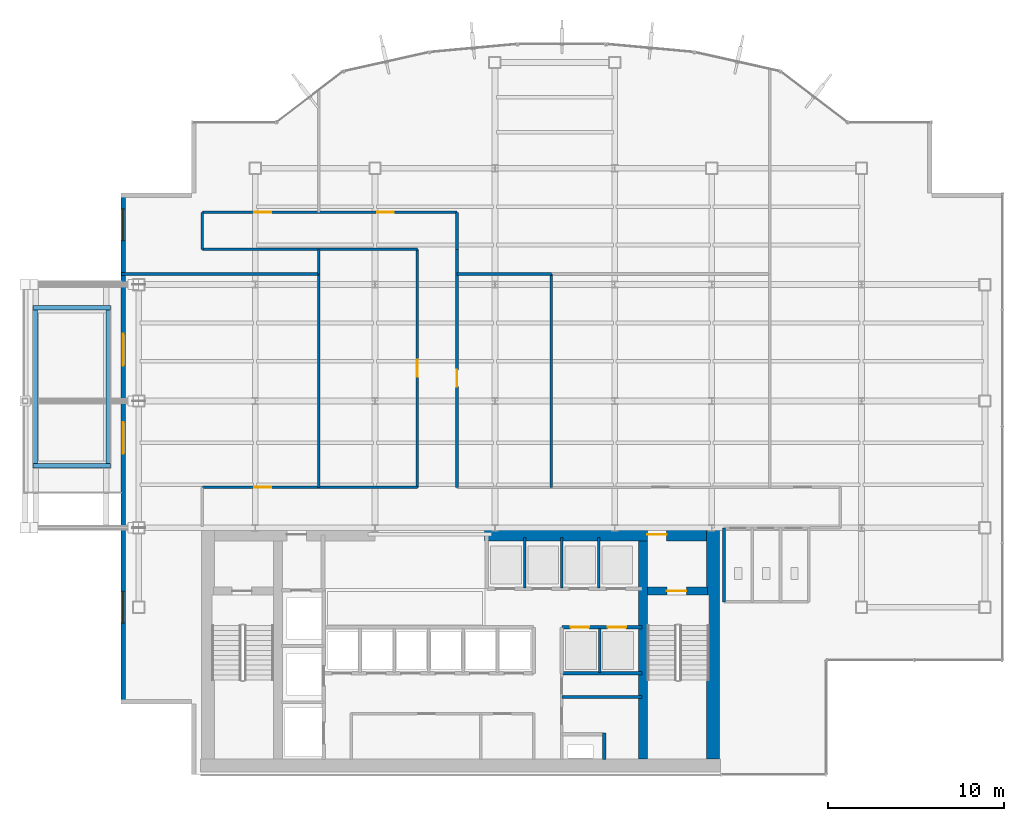
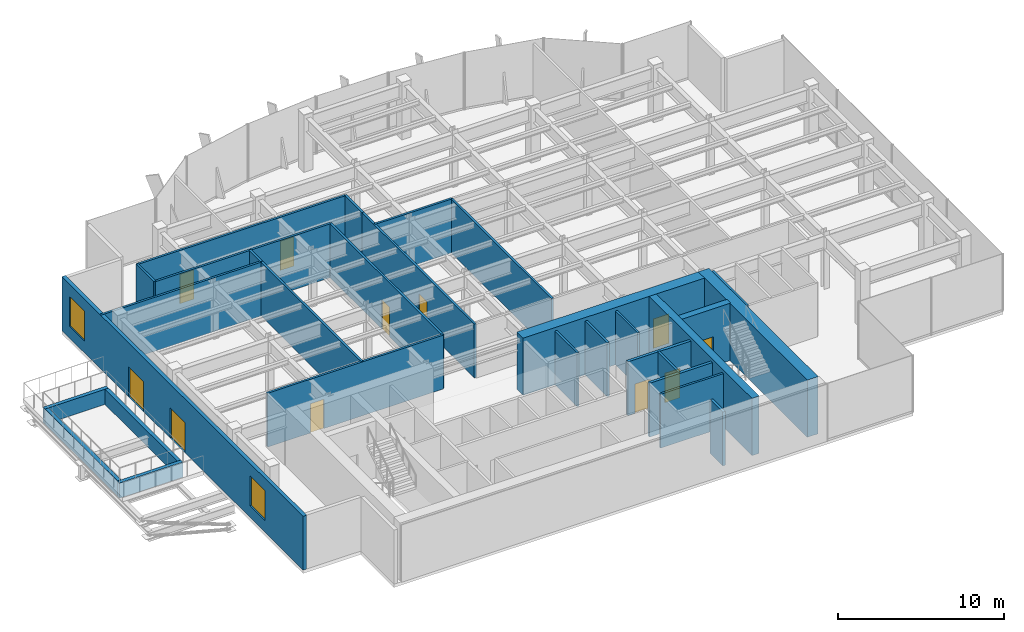
# One storey, part 19 of 26: 30 walls, 11 doors, 2 windows, 13 openings.
"""IFC4 building model written with IfcOpenShell, lengths in metres."""

from ifc_helpers import new_model, si_unit, derived_unit, direction, frame, frame_2d, origin, place, context, subcontext, project, spatial, rectangle, extrude, source, transform, mapped, material, layer, layer_set, type_object, element, fill, save


model = new_model("IFC4")

# Units and contexts
model_context = context("Model", 3, precision=1e-05, world=origin(), true_north=direction((0.0, 1.0)))
body_context = subcontext(model_context, "Body", "Model", "MODEL_VIEW")
ifc_project = project(units=[si_unit("LENGTHUNIT", "METRE"), si_unit("AREAUNIT", "SQUARE_METRE"), si_unit("VOLUMEUNIT", "CUBIC_METRE"), si_unit("PLANEANGLEUNIT", "RADIAN"), si_unit("MASSUNIT", "GRAM", prefix="KILO"), derived_unit("THERMALTRANSMITTANCEUNIT", [(si_unit("POWERUNIT", "WATT"), 1), (si_unit("LENGTHUNIT", "METRE"), -2), (si_unit("THERMODYNAMICTEMPERATUREUNIT", "KELVIN"), -1)])], contexts=[model_context])

# Site, building, storey
site_placement = place(None, origin())
site = spatial("IfcSite", under=ifc_project, at=site_placement, CompositionType="ELEMENT")
building_placement = place(site_placement, origin())
building = spatial("IfcBuilding", under=site, at=building_placement, Name="Skarnbrae Concourse Arena and Tower", CompositionType="ELEMENT")
storey_placement = place(building_placement, frame((0.0, 0.0, 184.39990234375)))
storey = spatial("IfcBuildingStorey", under=building, at=storey_placement, Name="L47", CompositionType="ELEMENT", Elevation=184.39990234375)

# Wall
ifc_material_1 = material(Name="Concrete 60 MPa (C60/75)", Category="concrete")
ifc_layer_1 = layer(ifc_material_1, 0.75)
ifc_layer_set_1 = layer_set([ifc_layer_1], Name="Concrete 60 MPa (C60/75)")
wall_type_1 = type_object("IfcWallType", Name="WALL-CORE-750-C60", PredefinedType="SHEAR", material=ifc_layer_set_1)
shared_shape_1 = source(origin(), body_context, "Body", "SweptSolid", [
    extrude(rectangle(XDim=13.10009765625, YDim=0.75, at=frame_2d((6.550048828125, 0.0))), origin(), (0.0, 0.0, 1.0), 4.2001953125),
])
wall_1_placement = place(storey_placement, frame((33.574951171875, 0.89990234375, 0.0), z_axis=(0.0, 0.0, 1.0), x_axis=(0.0, 1.0, 0.0)))
element("IfcWall", 1, at=wall_1_placement, inside=storey, type_object=wall_type_1, Name="L47 Rear core shear wall CW-E", PredefinedType="SHEAR", context=body_context, shape_type="MappedRepresentation", body=[
    mapped(shared_shape_1, transform((0.0, 0.0, 0.0))),
])

# Wall, opening, door
shared_shape_2 = source(origin(), body_context, "Body", "SweptSolid", [
    extrude(rectangle(XDim=12.599853515625, YDim=0.75, at=frame_2d((6.2998046875, 0.0))), origin(), (0.0, 0.0, 1.0), 4.2001953125),
])
wall_2_placement = place(storey_placement, frame((20.60009765625, 13.625, 0.0), z_axis=(0.0, 0.0, 1.0), x_axis=(1.0, 0.0, 0.0)))
wall_2 = element("IfcWall", 2, at=wall_2_placement, inside=storey, type_object=wall_type_1, Name="L47 Rear core shear wall CW-NE", PredefinedType="SHEAR", context=body_context, shape_type="MappedRepresentation", body=[
    mapped(shared_shape_2, transform((0.0, 0.0, 0.0))),
])
opening_1_placement = place(wall_2_placement, frame((9.25, 0.0, 0.0)))
opening_1 = element("IfcOpeningElement", 3, at=opening_1_placement, cuts=wall_2, Name="Opening DT-03", PredefinedType="OPENING", context=body_context, shape_type="SweptSolid", body=[
    extrude(rectangle(XDim=1.10009765625, YDim=2.14990234375, at=frame_2d((0.550048828125, 1.074951171875))), frame((0.0, 0.385009765625, 0.0), z_axis=(0.0, -1.0, 0.0), x_axis=(1.0, 0.0, 0.0)), (0.0, 0.0, 1.0), 0.77001953125),
])
ifc_material_2 = material(Name="Steel CSA G40.21 350W", Category="steel")
door_type_1 = type_object("IfcDoorType", Name="DOOR-FIRE-1100-90M", OperationType="NOTDEFINED", PredefinedType="DOOR", material=ifc_material_2)
shared_shape_3 = source(origin(), body_context, "Body", "SweptSolid", [
    extrude(rectangle(XDim=1.10009765625, YDim=2.14990234375, at=frame_2d((0.550048828125, 1.074951171875))), frame((0.0, 0.02490234375, 0.0), z_axis=(0.0, -1.0, 0.0), x_axis=(1.0, 0.0, 0.0)), (0.0, 0.0, 1.0), 0.050048828125),
])
door_1_placement = place(opening_1_placement, origin())
door_1 = element("IfcDoor", 4, at=door_1_placement, inside=storey, type_object=door_type_1, Name="D-1437 Stair ST-2 Vestibule Door", OperationType="SINGLE_SWING_LEFT", OverallHeight=2.14990234375, OverallWidth=1.10009765625, PredefinedType="DOOR", context=body_context, shape_type="MappedRepresentation", body=[
    mapped(shared_shape_3, transform((0.0, 0.0, 0.0))),
])
fill(opening_1, door_1)

# Wall
ifc_layer_2 = layer(ifc_material_1, 0.5)
ifc_layer_set_2 = layer_set([ifc_layer_2], Name="Concrete 60 MPa (C60/75)")
wall_type_2 = type_object("IfcWallType", Name="WALL-CORE-500-C60", PredefinedType="SHEAR", material=ifc_layer_set_2)
shared_shape_4 = source(origin(), body_context, "Body", "SweptSolid", [
    extrude(rectangle(XDim=12.35009765625, YDim=0.5, at=frame_2d((6.175048828125, 0.0))), origin(), (0.0, 0.0, 1.0), 4.2001953125),
])
wall_3_placement = place(storey_placement, frame((29.610107421875, 0.89990234375, 0.0), z_axis=(0.0, 0.0, 1.0), x_axis=(0.0, 1.0, 0.0)))
element("IfcWall", 5, at=wall_3_placement, inside=storey, type_object=wall_type_2, Name="L47 Rear core shear wall CW-WEB-E", PredefinedType="SHEAR", context=body_context, shape_type="MappedRepresentation", body=[
    mapped(shared_shape_4, transform((0.0, 0.0, 0.0))),
])

# Wall, opening, door
ifc_material_3 = material(Name="Concrete 50 MPa (C50/60)", Category="concrete")
ifc_layer_3 = layer(ifc_material_3, 0.449951171875)
ifc_layer_set_3 = layer_set([ifc_layer_3], Name="Concrete 50 MPa (C50/60)")
wall_type_3 = type_object("IfcWallType", Name="WALL-CORE-450-C50", PredefinedType="SHEAR", material=ifc_layer_set_3)
shared_shape_5 = source(origin(), body_context, "Body", "SweptSolid", [
    extrude(rectangle(XDim=3.389892578125, YDim=0.449951171875, at=frame_2d((1.69482421875, 0.0))), origin(), (0.0, 0.0, 1.0), 4.2001953125),
])
wall_4_placement = place(storey_placement, frame((29.860107421875, 10.419921875, 0.0), z_axis=(0.0, 0.0, 1.0), x_axis=(1.0, 0.0, 0.0)))
wall_4 = element("IfcWall", 6, at=wall_4_placement, inside=storey, type_object=wall_type_3, Name="L47 Rear core shear wall CW-ST2-N", PredefinedType="SHEAR", context=body_context, shape_type="MappedRepresentation", body=[
    mapped(shared_shape_5, transform((0.0, 0.0, 0.0))),
])
opening_2_placement = place(wall_4_placement, frame((1.10009765625, 0.0, 0.0)))
opening_2 = element("IfcOpeningElement", 7, at=opening_2_placement, cuts=wall_4, Name="Opening DT-03", PredefinedType="OPENING", context=body_context, shape_type="SweptSolid", body=[
    extrude(rectangle(XDim=1.10009765625, YDim=2.14990234375, at=frame_2d((0.550048828125, 1.074951171875))), frame((0.0, 0.23486328125, 0.0), z_axis=(0.0, -1.0, 0.0), x_axis=(1.0, 0.0, 0.0)), (0.0, 0.0, 1.0), 0.469970703125),
])
door_2_placement = place(opening_2_placement, frame((1.10009765625, 0.0, 0.0), z_axis=(0.0, 0.0, 1.0), x_axis=(-1.0, 0.0, 0.0)))
door_2 = element("IfcDoor", 8, at=door_2_placement, inside=storey, type_object=door_type_1, Name="D-1435 Stair ST-2 Door", OperationType="SINGLE_SWING_RIGHT", OverallHeight=2.14990234375, OverallWidth=1.10009765625, PredefinedType="DOOR", context=body_context, shape_type="MappedRepresentation", body=[
    mapped(shared_shape_3, transform((0.0, 0.0, 0.0))),
])
fill(opening_2, door_2)

# Wall, openings, windows, doors
ifc_material_4 = material(Name="Precast concrete 40 MPa (C40/50)", Category="concrete")
ifc_layer_4 = layer(ifc_material_4, 0.25)
ifc_layer_set_4 = layer_set([ifc_layer_4], Name="Precast concrete 40 MPa (C40/50)")
wall_type_4 = type_object("IfcWallType", Name="WALL-EXT-SPANDREL-250", PredefinedType="STANDARD", material=ifc_layer_set_4)
shared_shape_6 = source(origin(), body_context, "Body", "SweptSolid", [
    extrude(rectangle(XDim=29.0, YDim=0.25, at=frame_2d((14.5, 0.0))), origin(), (0.0, 0.0, 1.0), 3.9501953125),
])
wall_5_placement = place(storey_placement, frame((0.125, 33.0, 0.0), z_axis=(0.0, 0.0, 1.0), x_axis=(0.0, -1.0, 0.0)))
wall_5 = element("IfcWall", 9, at=wall_5_placement, inside=storey, type_object=wall_type_4, Name="L47 Sky Pool west structural spandrel wall", PredefinedType="STANDARD", context=body_context, shape_type="MappedRepresentation", body=[
    mapped(shared_shape_6, transform((0.0, 0.0, 0.0))),
])
opening_3_placement = place(wall_5_placement, frame((8.0, 0.0, 0.0)))
opening_3 = element("IfcOpeningElement", 10, at=opening_3_placement, cuts=wall_5, Name="Opening DT-02", PredefinedType="OPENING", context=body_context, shape_type="SweptSolid", body=[
    extrude(rectangle(XDim=1.800048828125, YDim=2.199951171875, at=frame_2d((0.89990234375, 1.10009765625))), frame((0.0, 0.135009765625, 0.0), z_axis=(0.0, -1.0, 0.0), x_axis=(1.0, 0.0, 0.0)), (0.0, 0.0, 1.0), 0.27001953125),
])
opening_4_placement = place(wall_5_placement, frame((13.0, 0.0, 0.0)))
opening_4 = element("IfcOpeningElement", 11, at=opening_4_placement, cuts=wall_5, Name="Opening DT-02", PredefinedType="OPENING", context=body_context, shape_type="SweptSolid", body=[
    extrude(rectangle(XDim=1.800048828125, YDim=2.199951171875, at=frame_2d((0.89990234375, 1.10009765625))), frame((0.0, 0.135009765625, 0.0), z_axis=(0.0, -1.0, 0.0), x_axis=(1.0, 0.0, 0.0)), (0.0, 0.0, 1.0), 0.27001953125),
])
opening_5_placement = place(wall_5_placement, frame((0.89990234375, 0.0, 0.85009765625)))
opening_5 = element("IfcOpeningElement", 12, at=opening_5_placement, cuts=wall_5, Name="Opening WN-01", PredefinedType="OPENING", context=body_context, shape_type="SweptSolid", body=[
    extrude(rectangle(XDim=1.800048828125, YDim=2.199951171875, at=frame_2d((0.89990234375, 1.10009765625))), frame((0.0, 0.135009765625, 0.0), z_axis=(0.0, -1.0, 0.0), x_axis=(1.0, 0.0, 0.0)), (0.0, 0.0, 1.0), 0.27001953125),
])
opening_6_placement = place(wall_5_placement, frame((22.60009765625, 0.0, 0.85009765625)))
opening_6 = element("IfcOpeningElement", 13, at=opening_6_placement, cuts=wall_5, Name="Opening WN-01", PredefinedType="OPENING", context=body_context, shape_type="SweptSolid", body=[
    extrude(rectangle(XDim=1.800048828125, YDim=2.199951171875, at=frame_2d((0.89990234375, 1.10009765625))), frame((0.0, 0.135009765625, 0.0), z_axis=(0.0, -1.0, 0.0), x_axis=(1.0, 0.0, 0.0)), (0.0, 0.0, 1.0), 0.27001953125),
])
ifc_material_5 = material(Name="Low-E triple insulating glass", Category="glass")
window_type = type_object("IfcWindowType", Name="WIN-EXT-1800X2200", PartitioningType="SINGLE_PANEL", PredefinedType="WINDOW", material=ifc_material_5)
shared_shape_7 = source(origin(), body_context, "Body", "SweptSolid", [
    extrude(rectangle(XDim=1.800048828125, YDim=2.199951171875, at=frame_2d((0.89990234375, 1.10009765625))), frame((0.0, 0.030029296875, 0.0), z_axis=(0.0, -1.0, 0.0), x_axis=(1.0, 0.0, 0.0)), (0.0, 0.0, 1.0), 0.06005859375),
])
window_1_placement = place(opening_5_placement, origin())
window_1 = element("IfcWindow", 14, at=window_1_placement, inside=storey, type_object=window_type, Name="L47 West flank window 1", OverallHeight=2.199951171875, OverallWidth=1.800048828125, PartitioningType="SINGLE_PANEL", PredefinedType="WINDOW", context=body_context, shape_type="MappedRepresentation", body=[
    mapped(shared_shape_7, transform((0.0, 0.0, 0.0))),
])
fill(opening_5, window_1)
window_2_placement = place(opening_6_placement, origin())
window_2 = element("IfcWindow", 15, at=window_2_placement, inside=storey, type_object=window_type, Name="L47 West flank window 2", OverallHeight=2.199951171875, OverallWidth=1.800048828125, PartitioningType="SINGLE_PANEL", PredefinedType="WINDOW", context=body_context, shape_type="MappedRepresentation", body=[
    mapped(shared_shape_7, transform((0.0, 0.0, 0.0))),
])
fill(opening_6, window_2)
ifc_material_6 = material(Name="Bronze anodised aluminium 6063-T6", Category="aluminium")
door_type_2 = type_object("IfcDoorType", Name="DOOR-TERRACE-1800", OperationType="DOUBLE_DOOR_SINGLE_SWING", PredefinedType="DOOR", material=ifc_material_6)
shared_shape_8 = source(origin(), body_context, "Body", "SweptSolid", [
    extrude(rectangle(XDim=1.800048828125, YDim=2.199951171875, at=frame_2d((0.89990234375, 1.10009765625))), frame((0.0, 0.02490234375, 0.0), z_axis=(0.0, -1.0, 0.0), x_axis=(1.0, 0.0, 0.0)), (0.0, 0.0, 1.0), 0.050048828125),
])
door_3_placement = place(opening_3_placement, frame((1.800048828125, 0.0, 0.0), z_axis=(0.0, 0.0, 1.0), x_axis=(-1.0, 0.0, 0.0)))
door_3 = element("IfcDoor", 16, at=door_3_placement, inside=storey, type_object=door_type_2, Name="D-0039 L47 Sky Pool Deck Door 1", OperationType="DOUBLE_DOOR_SINGLE_SWING", OverallHeight=2.199951171875, OverallWidth=1.800048828125, PredefinedType="DOOR", context=body_context, shape_type="MappedRepresentation", body=[
    mapped(shared_shape_8, transform((0.0, 0.0, 0.0))),
])
fill(opening_3, door_3)
door_4_placement = place(opening_4_placement, frame((1.800048828125, 0.0, 0.0), z_axis=(0.0, 0.0, 1.0), x_axis=(-1.0, 0.0, 0.0)))
door_4 = element("IfcDoor", 17, at=door_4_placement, inside=storey, type_object=door_type_2, Name="D-0040 L47 Sky Pool Deck Door 2", OperationType="DOUBLE_DOOR_SINGLE_SWING", OverallHeight=2.199951171875, OverallWidth=1.800048828125, PredefinedType="DOOR", context=body_context, shape_type="MappedRepresentation", body=[
    mapped(shared_shape_8, transform((0.0, 0.0, 0.0))),
])
fill(opening_4, door_4)

# Walls
ifc_layer_5 = layer(ifc_material_4, 0.25)
ifc_layer_set_5 = layer_set([ifc_layer_5], Name="Precast concrete 40 MPa (C40/50)")
wall_type_5 = type_object("IfcWallType", Name="WALL-PARAPET-250", PredefinedType="PARAPET", material=ifc_layer_set_5)
shared_shape_9 = source(origin(), body_context, "Body", "SweptSolid", [
    extrude(rectangle(XDim=9.2001953125, YDim=0.25, at=frame_2d((4.60009765625, 0.0))), origin(), (0.0, 0.0, 1.0), 1.119873046875),
])
for number, where, z_axis, x_axis, name in (
    (18, (-4.875, 17.39990234375, -1.099853515625), (0.0, 0.0, 1.0), (0.0, 1.0, 0.0), "L47 Sky pool basin perimeter curb wall W"),
    (19, (-0.72509765625, 17.39990234375, -1.099853515625), (0.0, 0.0, 1.0), (0.0, 1.0, 0.0), "L47 Sky pool basin perimeter curb wall E"),
):
    element("IfcWall", number, at=place(storey_placement, frame(where, z_axis=z_axis, x_axis=x_axis)), inside=storey, type_object=wall_type_5, Name=name, PredefinedType="PARAPET", context=body_context, shape_type="MappedRepresentation", body=[
        mapped(shared_shape_9, transform((0.0, 0.0, 0.0))),
    ])
shared_shape_10 = source(origin(), body_context, "Body", "SweptSolid", [
    extrude(rectangle(XDim=4.39990234375, YDim=0.25, at=frame_2d((2.199951171875, 0.0))), origin(), (0.0, 0.0, 1.0), 1.119873046875),
])
for number, where, z_axis, x_axis, name in (
    (20, (-5.0, 17.52490234375, -1.099853515625), (0.0, 0.0, 1.0), (1.0, 0.0, 0.0), "L47 Sky pool basin perimeter curb wall S"),
    (21, (-5.0, 26.47509765625, -1.099853515625), (0.0, 0.0, 1.0), (1.0, 0.0, 0.0), "L47 Sky pool basin perimeter curb wall N"),
):
    element("IfcWall", number, at=place(storey_placement, frame(where, z_axis=z_axis, x_axis=x_axis)), inside=storey, type_object=wall_type_5, Name=name, PredefinedType="PARAPET", context=body_context, shape_type="MappedRepresentation", body=[
        mapped(shared_shape_10, transform((0.0, 0.0, 0.0))),
    ])
ifc_material_7 = material(Name="Gypsum board on cold-formed steel studs", Category="steel")
ifc_layer_6 = layer(ifc_material_7, 0.14990234375)
ifc_layer_set_6 = layer_set([ifc_layer_6], Name="Gypsum board on cold-formed steel studs")
wall_type_6 = type_object("IfcWallType", Name="WALL-PART-150", PredefinedType="PARTITIONING", material=ifc_layer_set_6)
shared_shape_11 = source(origin(), body_context, "Body", "SweptSolid", [
    extrude(rectangle(XDim=2.5, YDim=0.14990234375, at=frame_2d((1.25, 0.0))), origin(), (0.0, 0.0, 1.0), 3.9501953125),
])
wall_6_placement = place(storey_placement, frame((27.139892578125, 5.800048828125, 0.0), z_axis=(0.0, 0.0, 1.0), x_axis=(0.0, 1.0, 0.0)))
element("IfcWall", 22, at=wall_6_placement, inside=storey, type_object=wall_type_6, Name="L47 Interior partition wall W-L47-B3S-P1", PredefinedType="PARTITIONING", context=body_context, shape_type="MappedRepresentation", body=[
    mapped(shared_shape_11, transform((0.0, 0.0, 0.0))),
])
shared_shape_12 = source(origin(), body_context, "Body", "SweptSolid", [
    extrude(rectangle(XDim=2.849853515625, YDim=0.14990234375, at=frame_2d((1.4248046875, 0.0))), origin(), (0.0, 0.0, 1.0), 3.9501953125),
])
for number, where, z_axis, x_axis, name in (
    (23, (22.889892578125, 10.60009765625, 0.0), (0.0, 0.0, 1.0), (0.0, 1.0, 0.0), "L47 Interior partition wall W-L47-B3N-P1"),
    (24, (24.989990234375, 10.60009765625, 0.0), (0.0, 0.0, 1.0), (0.0, 1.0, 0.0), "L47 Interior partition wall W-L47-B3N-P2"),
    (25, (27.090087890625, 10.60009765625, 0.0), (0.0, 0.0, 1.0), (0.0, 1.0, 0.0), "L47 Interior partition wall W-L47-B3N-P3"),
):
    element("IfcWall", number, at=place(storey_placement, frame(where, z_axis=z_axis, x_axis=x_axis)), inside=storey, type_object=wall_type_6, Name=name, PredefinedType="PARTITIONING", context=body_context, shape_type="MappedRepresentation", body=[
        mapped(shared_shape_12, transform((0.0, 0.0, 0.0))),
    ])

# Wall, openings, doors
ifc_layer_7 = layer(ifc_material_7, 0.199951171875)
ifc_layer_set_7 = layer_set([ifc_layer_7], Name="Gypsum board on cold-formed steel studs")
wall_type_7 = type_object("IfcWallType", Name="WALL-PART-200-2HR", PredefinedType="PARTITIONING", material=ifc_layer_set_7)
shared_shape_13 = source(origin(), body_context, "Body", "SweptSolid", [
    extrude(rectangle(XDim=4.550048828125, YDim=0.199951171875, at=frame_2d((2.27490234375, 0.0))), origin(), (0.0, 0.0, 1.0), 3.9501953125),
])
wall_7_placement = place(storey_placement, frame((25.0, 8.35009765625, 0.0), z_axis=(0.0, 0.0, 1.0), x_axis=(1.0, 0.0, 0.0)))
wall_7 = element("IfcWall", 26, at=wall_7_placement, inside=storey, type_object=wall_type_7, Name="L47 Interior partition wall W-L47-B3S-N", PredefinedType="PARTITIONING", context=body_context, shape_type="MappedRepresentation", body=[
    mapped(shared_shape_13, transform((0.0, 0.0, 0.0))),
])
opening_7_placement = place(wall_7_placement, frame((0.5, 0.0, 0.0)))
opening_7 = element("IfcOpeningElement", 27, at=opening_7_placement, cuts=wall_7, Name="Opening LD-04", PredefinedType="OPENING", context=body_context, shape_type="SweptSolid", body=[
    extrude(rectangle(XDim=1.050048828125, YDim=2.14990234375, at=frame_2d((0.52490234375, 1.074951171875))), frame((0.0, 0.10986328125, 0.0), z_axis=(0.0, -1.0, 0.0), x_axis=(1.0, 0.0, 0.0)), (0.0, 0.0, 1.0), 0.219970703125),
])
opening_8_placement = place(wall_7_placement, frame((2.60009765625, 0.0, 0.0)))
opening_8 = element("IfcOpeningElement", 28, at=opening_8_placement, cuts=wall_7, Name="Opening LD-04", PredefinedType="OPENING", context=body_context, shape_type="SweptSolid", body=[
    extrude(rectangle(XDim=1.050048828125, YDim=2.14990234375, at=frame_2d((0.52490234375, 1.074951171875))), frame((0.0, 0.10986328125, 0.0), z_axis=(0.0, -1.0, 0.0), x_axis=(1.0, 0.0, 0.0)), (0.0, 0.0, 1.0), 0.219970703125),
])
door_type_3 = type_object("IfcDoorType", Name="DOOR-LIFT-SLIDE-1050H", OperationType="SLIDING_TO_LEFT", PredefinedType="DOOR", material=ifc_material_6)
shared_shape_14 = source(origin(), body_context, "Body", "SweptSolid", [
    extrude(rectangle(XDim=1.050048828125, YDim=2.14990234375, at=frame_2d((0.52490234375, 1.074951171875))), frame((0.0, 0.02490234375, 0.0), z_axis=(0.0, -1.0, 0.0), x_axis=(1.0, 0.0, 0.0)), (0.0, 0.0, 1.0), 0.050048828125),
])
door_5_placement = place(opening_7_placement, origin())
door_5 = element("IfcDoor", 29, at=door_5_placement, inside=storey, type_object=door_type_3, Name="D-1453 Passenger Lift Landing Door PL-3E", OperationType="SLIDING_TO_LEFT", OverallHeight=2.14990234375, OverallWidth=1.050048828125, PredefinedType="DOOR", context=body_context, shape_type="MappedRepresentation", body=[
    mapped(shared_shape_14, transform((0.0, 0.0, 0.0))),
])
fill(opening_7, door_5)
door_6_placement = place(opening_8_placement, origin())
door_6 = element("IfcDoor", 30, at=door_6_placement, inside=storey, type_object=door_type_3, Name="D-1454 Passenger Lift Landing Door PL-3F", OperationType="SLIDING_TO_LEFT", OverallHeight=2.14990234375, OverallWidth=1.050048828125, PredefinedType="DOOR", context=body_context, shape_type="MappedRepresentation", body=[
    mapped(shared_shape_14, transform((0.0, 0.0, 0.0))),
])
fill(opening_8, door_6)

# Walls
wall_8_placement = place(storey_placement, frame((25.0, 5.75, 0.0), z_axis=(0.0, 0.0, 1.0), x_axis=(1.0, 0.0, 0.0)))
element("IfcWall", 31, at=wall_8_placement, inside=storey, type_object=wall_type_7, Name="L47 Interior partition wall W-L47-B3S-S", PredefinedType="PARTITIONING", context=body_context, shape_type="MappedRepresentation", body=[
    mapped(shared_shape_13, transform((0.0, 0.0, 0.0))),
])
shared_shape_15 = source(origin(), body_context, "Body", "SweptSolid", [
    extrude(rectangle(XDim=1.5, YDim=0.199951171875, at=frame_2d((0.75, 0.0))), origin(), (0.0, 0.0, 1.0), 3.9501953125),
])
wall_9_placement = place(storey_placement, frame((27.39990234375, 0.85009765625, 0.0), z_axis=(0.0, 0.0, 1.0), x_axis=(0.0, 1.0, 0.0)))
element("IfcWall", 32, at=wall_9_placement, inside=storey, type_object=wall_type_7, Name="L47 Interior partition wall W-L47-MEP-E", PredefinedType="PARTITIONING", context=body_context, shape_type="MappedRepresentation", body=[
    mapped(shared_shape_15, transform((0.0, 0.0, 0.0))),
])
shared_shape_16 = source(origin(), body_context, "Body", "SweptSolid", [
    extrude(rectangle(XDim=4.550048828125, YDim=0.14990234375, at=frame_2d((2.27490234375, 0.0))), origin(), (0.0, 0.0, 1.0), 3.9501953125),
])
wall_10_placement = place(storey_placement, frame((25.0, 4.39990234375, 0.0), z_axis=(0.0, 0.0, 1.0), x_axis=(1.0, 0.0, 0.0)))
element("IfcWall", 33, at=wall_10_placement, inside=storey, type_object=wall_type_6, Name="L47 Interior partition wall W-L47-CSV-H", PredefinedType="PARTITIONING", context=body_context, shape_type="MappedRepresentation", body=[
    mapped(shared_shape_16, transform((0.0, 0.0, 0.0))),
])
shared_shape_17 = source(origin(), body_context, "Body", "SweptSolid", [
    extrude(rectangle(XDim=4.179931640625, YDim=0.14990234375, at=frame_2d((2.08984375, 0.0))), origin(), (0.0, 0.0, 1.0), 3.9501953125),
])
wall_11_placement = place(storey_placement, frame((34.199951171875, 9.800048828125, 0.0), z_axis=(0.0, 0.0, 1.0), x_axis=(0.0, 1.0, 0.0)))
element("IfcWall", 34, at=wall_11_placement, inside=storey, type_object=wall_type_6, Name="L47 Interior partition wall W-L47-WC-W", PredefinedType="PARTITIONING", context=body_context, shape_type="MappedRepresentation", body=[
    mapped(shared_shape_17, transform((0.0, 0.0, 0.0))),
])

# Wall, opening, door
ifc_layer_8 = layer(ifc_material_7, 0.14990234375)
ifc_layer_set_8 = layer_set([ifc_layer_8], Name="Gypsum board on cold-formed steel studs")
wall_type_8 = type_object("IfcWallType", Name="WALL-PART-150-1HR", PredefinedType="PARTITIONING", material=ifc_layer_set_8)
shared_shape_18 = source(origin(), body_context, "Body", "SweptSolid", [
    extrude(rectangle(XDim=12.199951171875, YDim=0.14990234375, at=frame_2d((6.10009765625, 0.0))), origin(), (0.0, 0.0, 1.0), 3.9501953125),
])
wall_12_placement = place(storey_placement, frame((4.60009765625, 16.300048828125, 0.0), z_axis=(0.0, 0.0, 1.0), x_axis=(1.0, 0.0, 0.0)))
wall_12 = element("IfcWall", 35, at=wall_12_placement, inside=storey, type_object=wall_type_8, Name="L47 Interior partition wall W-L47-COR-02", PredefinedType="PARTITIONING", context=body_context, shape_type="MappedRepresentation", body=[
    mapped(shared_shape_18, transform((0.0, 0.0, 0.0))),
])
opening_9_placement = place(wall_12_placement, frame((2.955078125, 0.0, 0.0)))
opening_9 = element("IfcOpeningElement", 36, at=opening_9_placement, cuts=wall_12, Name="Opening DT-04", PredefinedType="OPENING", context=body_context, shape_type="SweptSolid", body=[
    extrude(rectangle(XDim=0.949951171875, YDim=2.14990234375, at=frame_2d((0.47509765625, 1.074951171875))), frame((0.0, 0.0849609375, 0.0), z_axis=(0.0, -1.0, 0.0), x_axis=(1.0, 0.0, 0.0)), (0.0, 0.0, 1.0), 0.169921875),
])
door_type_4 = type_object("IfcDoorType", Name="DOOR-INT-950-45M", OperationType="NOTDEFINED", PredefinedType="DOOR", material=ifc_material_2)
shared_shape_19 = source(origin(), body_context, "Body", "SweptSolid", [
    extrude(rectangle(XDim=0.949951171875, YDim=2.14990234375, at=frame_2d((0.47509765625, 1.074951171875))), frame((0.0, 0.02490234375, 0.0), z_axis=(0.0, -1.0, 0.0), x_axis=(1.0, 0.0, 0.0)), (0.0, 0.0, 1.0), 0.050048828125),
])
door_7_placement = place(opening_9_placement, origin())
door_7 = element("IfcDoor", 37, at=door_7_placement, inside=storey, type_object=door_type_4, Name="D-1460 L47 Suite Door 01", OperationType="SINGLE_SWING_LEFT", OverallHeight=2.14990234375, OverallWidth=0.949951171875, PredefinedType="DOOR", context=body_context, shape_type="MappedRepresentation", body=[
    mapped(shared_shape_19, transform((0.0, 0.0, 0.0))),
])
fill(opening_9, door_7)

# Wall
wall_13_placement = place(storey_placement, frame((16.800048828125, 29.800048828125, 0.0), z_axis=(0.0, 0.0, 1.0), x_axis=(-1.0, 0.0, 0.0)))
element("IfcWall", 38, at=wall_13_placement, inside=storey, type_object=wall_type_8, Name="L47 Interior partition wall W-L47-COR-04", PredefinedType="PARTITIONING", context=body_context, shape_type="MappedRepresentation", body=[
    mapped(shared_shape_18, transform((0.0, 0.0, 0.0))),
])

# Wall, opening, door
shared_shape_20 = source(origin(), body_context, "Body", "SweptSolid", [
    extrude(rectangle(XDim=13.5, YDim=0.14990234375, at=frame_2d((6.75, 0.0))), origin(), (0.0, 0.0, 1.0), 3.9501953125),
])
wall_14_placement = place(storey_placement, frame((16.800048828125, 16.300048828125, 0.0), z_axis=(0.0, 0.0, 1.0), x_axis=(0.0, 1.0, 0.0)))
wall_14 = element("IfcWall", 39, at=wall_14_placement, inside=storey, type_object=wall_type_8, Name="L47 Interior partition wall W-L47-COR-03", PredefinedType="PARTITIONING", context=body_context, shape_type="MappedRepresentation", body=[
    mapped(shared_shape_20, transform((0.0, 0.0, 0.0))),
])
opening_10_placement = place(wall_14_placement, frame((6.27490234375, 0.0, 0.0)))
opening_10 = element("IfcOpeningElement", 40, at=opening_10_placement, cuts=wall_14, Name="Opening DT-04", PredefinedType="OPENING", context=body_context, shape_type="SweptSolid", body=[
    extrude(rectangle(XDim=0.949951171875, YDim=2.14990234375, at=frame_2d((0.47509765625, 1.074951171875))), frame((0.0, 0.0849609375, 0.0), z_axis=(0.0, -1.0, 0.0), x_axis=(1.0, 0.0, 0.0)), (0.0, 0.0, 1.0), 0.169921875),
])
door_8_placement = place(opening_10_placement, origin())
door_8 = element("IfcDoor", 41, at=door_8_placement, inside=storey, type_object=door_type_4, Name="D-1462 L47 Suite Door 03", OperationType="SINGLE_SWING_LEFT", OverallHeight=2.14990234375, OverallWidth=0.949951171875, PredefinedType="DOOR", context=body_context, shape_type="MappedRepresentation", body=[
    mapped(shared_shape_19, transform((0.0, 0.0, 0.0))),
])
fill(opening_10, door_8)

wall_15_placement = place(storey_placement, frame((19.050048828125, 29.800048828125, 0.0), z_axis=(0.0, 0.0, 1.0), x_axis=(0.0, -1.0, 0.0)))
wall_15 = element("IfcWall", 42, at=wall_15_placement, inside=storey, type_object=wall_type_8, Name="L47 Interior partition wall W-L47-COR-08", PredefinedType="PARTITIONING", context=body_context, shape_type="MappedRepresentation", body=[
    mapped(shared_shape_20, transform((0.0, 0.0, 0.0))),
])
opening_11_placement = place(wall_15_placement, frame((6.844970703125, 0.0, 0.0)))
opening_11 = element("IfcOpeningElement", 43, at=opening_11_placement, cuts=wall_15, Name="Opening DT-04", PredefinedType="OPENING", context=body_context, shape_type="SweptSolid", body=[
    extrude(rectangle(XDim=0.949951171875, YDim=2.14990234375, at=frame_2d((0.47509765625, 1.074951171875))), frame((0.0, 0.0849609375, 0.0), z_axis=(0.0, -1.0, 0.0), x_axis=(1.0, 0.0, 0.0)), (0.0, 0.0, 1.0), 0.169921875),
])
door_9_placement = place(opening_11_placement, origin())
door_9 = element("IfcDoor", 44, at=door_9_placement, inside=storey, type_object=door_type_4, Name="D-1463 L47 Suite Door 04", OperationType="SINGLE_SWING_RIGHT", OverallHeight=2.14990234375, OverallWidth=0.949951171875, PredefinedType="DOOR", context=body_context, shape_type="MappedRepresentation", body=[
    mapped(shared_shape_19, transform((0.0, 0.0, 0.0))),
])
fill(opening_11, door_9)

# Walls
shared_shape_21 = source(origin(), body_context, "Body", "SweptSolid", [
    extrude(rectangle(XDim=2.099853515625, YDim=0.14990234375, at=frame_2d((1.0498046875, 0.0))), origin(), (0.0, 0.0, 1.0), 3.9501953125),
])
for number, where, z_axis, x_axis, name in (
    (45, (4.60009765625, 29.800048828125, 0.0), (0.0, 0.0, 1.0), (0.0, 1.0, 0.0), "L47 Interior partition wall W-L47-COR-05"),
    (46, (19.050048828125, 31.89990234375, 0.0), (0.0, 0.0, 1.0), (0.0, -1.0, 0.0), "L47 Interior partition wall W-L47-COR-07"),
):
    element("IfcWall", number, at=place(storey_placement, frame(where, z_axis=z_axis, x_axis=x_axis)), inside=storey, type_object=wall_type_8, Name=name, PredefinedType="PARTITIONING", context=body_context, shape_type="MappedRepresentation", body=[
        mapped(shared_shape_21, transform((0.0, 0.0, 0.0))),
    ])

# Wall, openings, doors
shared_shape_22 = source(origin(), body_context, "Body", "SweptSolid", [
    extrude(rectangle(XDim=14.449951171875, YDim=0.14990234375, at=frame_2d((7.22509765625, 0.0))), origin(), (0.0, 0.0, 1.0), 3.9501953125),
])
wall_16_placement = place(storey_placement, frame((4.60009765625, 31.89990234375, 0.0), z_axis=(0.0, 0.0, 1.0), x_axis=(1.0, 0.0, 0.0)))
wall_16 = element("IfcWall", 47, at=wall_16_placement, inside=storey, type_object=wall_type_8, Name="L47 Interior partition wall W-L47-COR-06", PredefinedType="PARTITIONING", context=body_context, shape_type="MappedRepresentation", body=[
    mapped(shared_shape_22, transform((0.0, 0.0, 0.0))),
])
opening_12_placement = place(wall_16_placement, frame((2.955078125, 0.0, 0.0)))
opening_12 = element("IfcOpeningElement", 48, at=opening_12_placement, cuts=wall_16, Name="Opening DT-04", PredefinedType="OPENING", context=body_context, shape_type="SweptSolid", body=[
    extrude(rectangle(XDim=0.949951171875, YDim=2.14990234375, at=frame_2d((0.47509765625, 1.074951171875))), frame((0.0, 0.0849609375, 0.0), z_axis=(0.0, -1.0, 0.0), x_axis=(1.0, 0.0, 0.0)), (0.0, 0.0, 1.0), 0.169921875),
])
opening_13_placement = place(wall_16_placement, frame((9.919921875, 0.0, 0.0)))
opening_13 = element("IfcOpeningElement", 49, at=opening_13_placement, cuts=wall_16, Name="Opening DT-04", PredefinedType="OPENING", context=body_context, shape_type="SweptSolid", body=[
    extrude(rectangle(XDim=0.949951171875, YDim=2.14990234375, at=frame_2d((0.47509765625, 1.074951171875))), frame((0.0, 0.0849609375, 0.0), z_axis=(0.0, -1.0, 0.0), x_axis=(1.0, 0.0, 0.0)), (0.0, 0.0, 1.0), 0.169921875),
])
door_10_placement = place(opening_12_placement, origin())
door_10 = element("IfcDoor", 50, at=door_10_placement, inside=storey, type_object=door_type_4, Name="D-1461 L47 Suite Door 02", OperationType="SINGLE_SWING_RIGHT", OverallHeight=2.14990234375, OverallWidth=0.949951171875, PredefinedType="DOOR", context=body_context, shape_type="MappedRepresentation", body=[
    mapped(shared_shape_19, transform((0.0, 0.0, 0.0))),
])
fill(opening_12, door_10)
door_11_placement = place(opening_13_placement, origin())
door_11 = element("IfcDoor", 51, at=door_11_placement, inside=storey, type_object=door_type_4, Name="D-1464 L47 Suite Door 05", OperationType="SINGLE_SWING_LEFT", OverallHeight=2.14990234375, OverallWidth=0.949951171875, PredefinedType="DOOR", context=body_context, shape_type="MappedRepresentation", body=[
    mapped(shared_shape_19, transform((0.0, 0.0, 0.0))),
])
fill(opening_13, door_11)

# Walls
shared_shape_23 = source(origin(), body_context, "Body", "SweptSolid", [
    extrude(rectangle(XDim=11.179931640625, YDim=0.14990234375, at=frame_2d((5.58984375, 0.0))), origin(), (0.0, 0.0, 1.0), 3.9501953125),
])
wall_17_placement = place(storey_placement, frame((0.02001953125, 28.39990234375, 0.0), z_axis=(0.0, 0.0, 1.0), x_axis=(1.0, 0.0, 0.0)))
element("IfcWall", 52, at=wall_17_placement, inside=storey, type_object=wall_type_6, Name="L47 Interior partition wall W-L47-DEM-12", PredefinedType="PARTITIONING", context=body_context, shape_type="MappedRepresentation", body=[
    mapped(shared_shape_23, transform((0.0, 0.0, 0.0))),
])
shared_shape_24 = source(origin(), body_context, "Body", "SweptSolid", [
    extrude(rectangle(XDim=12.099853515625, YDim=0.14990234375, at=frame_2d((6.0498046875, 0.0))), origin(), (0.0, 0.0, 1.0), 3.9501953125),
])
for number, where, z_axis, x_axis, name in (
    (53, (11.199951171875, 28.39990234375, 0.0), (0.0, 0.0, 1.0), (0.0, -1.0, 0.0), "L47 Interior partition wall W-L47-DEM-13"),
    (54, (24.39990234375, 28.39990234375, 0.0), (0.0, 0.0, 1.0), (0.0, -1.0, 0.0), "L47 Interior partition wall W-L47-DEM-17"),
):
    element("IfcWall", number, at=place(storey_placement, frame(where, z_axis=z_axis, x_axis=x_axis)), inside=storey, type_object=wall_type_6, Name=name, PredefinedType="PARTITIONING", context=body_context, shape_type="MappedRepresentation", body=[
        mapped(shared_shape_24, transform((0.0, 0.0, 0.0))),
    ])
shared_shape_25 = source(origin(), body_context, "Body", "SweptSolid", [
    extrude(rectangle(XDim=1.400146484375, YDim=0.14990234375, at=frame_2d((0.7001953125, 0.0))), origin(), (0.0, 0.0, 1.0), 3.9501953125),
])
wall_18_placement = place(storey_placement, frame((11.199951171875, 29.800048828125, 0.0), z_axis=(0.0, 0.0, 1.0), x_axis=(0.0, -1.0, 0.0)))
element("IfcWall", 55, at=wall_18_placement, inside=storey, type_object=wall_type_6, Name="L47 Interior partition wall W-L47-DEM-14", PredefinedType="PARTITIONING", context=body_context, shape_type="MappedRepresentation", body=[
    mapped(shared_shape_25, transform((0.0, 0.0, 0.0))),
])
shared_shape_26 = source(origin(), body_context, "Body", "SweptSolid", [
    extrude(rectangle(XDim=5.349853515625, YDim=0.14990234375, at=frame_2d((2.6748046875, 0.0))), origin(), (0.0, 0.0, 1.0), 3.9501953125),
])
wall_19_placement = place(storey_placement, frame((19.050048828125, 28.39990234375, 0.0), z_axis=(0.0, 0.0, 1.0), x_axis=(1.0, 0.0, 0.0)))
element("IfcWall", 56, at=wall_19_placement, inside=storey, type_object=wall_type_6, Name="L47 Interior partition wall W-L47-DEM-16", PredefinedType="PARTITIONING", context=body_context, shape_type="MappedRepresentation", body=[
    mapped(shared_shape_26, transform((0.0, 0.0, 0.0))),
])

save(model, "model.ifc")
